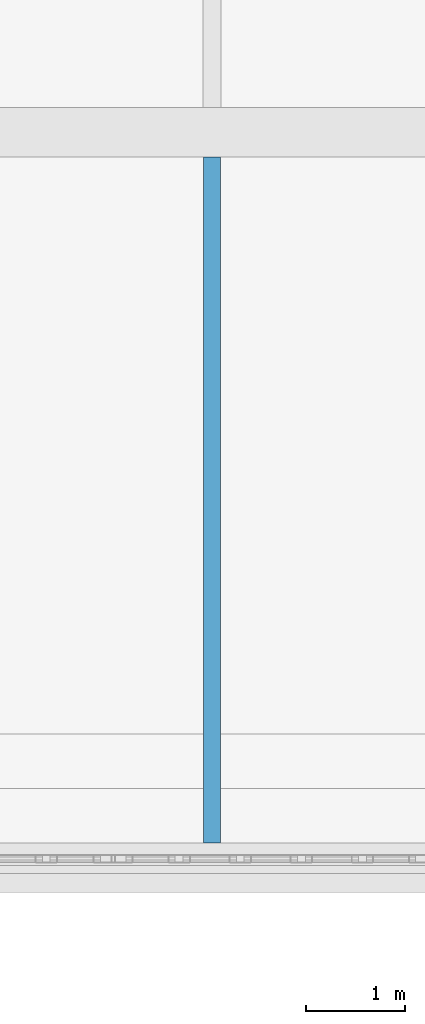
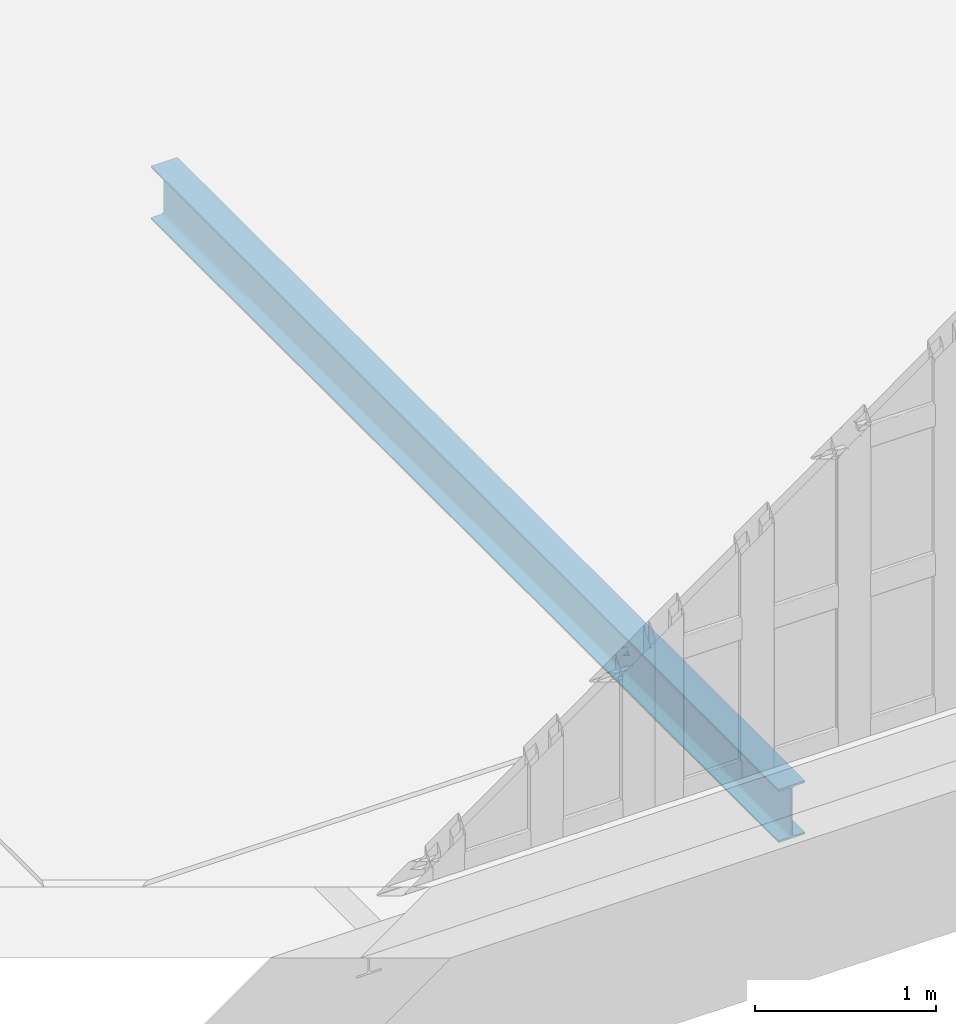
# One storey, part 116 of 372: 1 beam.
"""IFC4 building model written with IfcOpenShell, lengths in metres."""

from ifc_helpers import new_model, si_unit, direction, frame, origin, origin_2d, place, context, subcontext, project, spatial, i_section, extrude, material, material_profile, profile_set, type_object, element, save


model = new_model("IFC4")

# Units and contexts
model_context = context("Model", 3, precision=1e-05, world=origin(), true_north=direction((0.0, 1.0)))
body_context = subcontext(model_context, "Body", "Model", "MODEL_VIEW")
ifc_project = project(units=[si_unit("LENGTHUNIT", "METRE"), si_unit("AREAUNIT", "SQUARE_METRE"), si_unit("VOLUMEUNIT", "CUBIC_METRE"), si_unit("PLANEANGLEUNIT", "RADIAN"), si_unit("MASSUNIT", "GRAM", prefix="KILO")], contexts=[model_context])

# Site, building, storey
site_placement = place(None, origin())
site = spatial("IfcSite", under=ifc_project, at=site_placement, CompositionType="ELEMENT")
building_placement = place(site_placement, origin())
building = spatial("IfcBuilding", under=site, at=building_placement, Name="Kaelora Sail Theatre", CompositionType="ELEMENT")
storey_placement = place(building_placement, origin())
storey = spatial("IfcBuildingStorey", under=building, at=storey_placement, Name="L00", CompositionType="ELEMENT", Elevation=0.0)

# Beam
ifc_material = material(Name="Steel S355", Category="steel")
ifc_material_profile = material_profile(ifc_material, i_section(OverallWidth=0.169921875, OverallDepth=0.360107421875, WebThickness=0.008056640625, FlangeThickness=0.0126953125, FilletRadius=0.01806640625, at=origin_2d()), Name="IPE 360")
ifc_profile_set = profile_set([ifc_material_profile], Name="Steel S355")
beam_type = type_object("IfcBeamType", Name="STR-BM-JS-IPE360", PredefinedType="JOIST", material=ifc_profile_set)
beam_placement = place(storey_placement, frame((63.60009765625, 38.949951171875, -0.5), z_axis=(0.0, 1.0, 0.0), x_axis=(-1.0, 0.0, 0.0)))
element("IfcBeam", 1, at=beam_placement, inside=storey, type_object=beam_type, Name="Secondary floor joist 8/F-2 (L00)", PredefinedType="JOIST", context=body_context, shape_type="SweptSolid", body=[
    extrude(i_section(OverallWidth=0.169921875, OverallDepth=0.360107421875, WebThickness=0.008056640625, FlangeThickness=0.0126953125, FilletRadius=0.01806640625, at=origin_2d()), origin(), (0.0, 0.0, 1.0), 6.93994140625),
])

save(model, "model.ifc")
